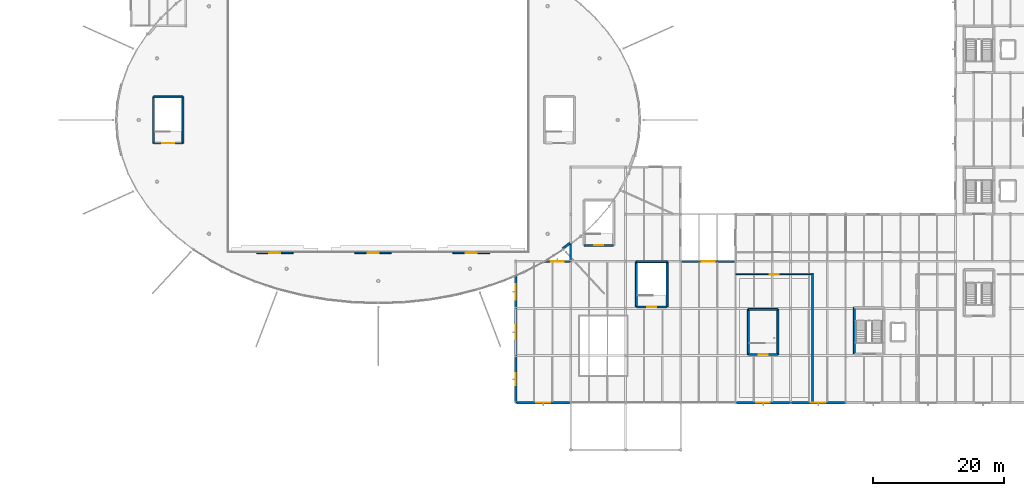
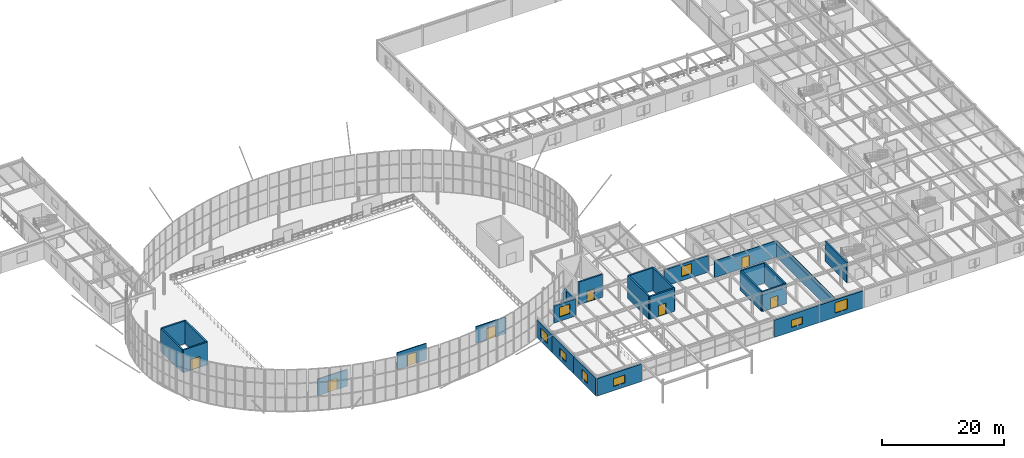
# One storey, part 63 of 109: 29 walls, 8 doors, 8 windows, 16 openings.
"""IFC4 building model written with IfcOpenShell, lengths in metres."""

from ifc_helpers import new_model, si_unit, derived_unit, direction, frame, frame_2d, origin, place, context, subcontext, project, spatial, rectangle, extrude, material, layer, layer_set, type_object, element, fill, save


model = new_model("IFC4")

# Units and contexts
model_context = context("Model", 3, precision=1e-05, world=origin(), true_north=direction((0.0, 1.0)))
body_context = subcontext(model_context, "Body", "Model", "MODEL_VIEW")
ifc_project = project(units=[si_unit("LENGTHUNIT", "METRE"), si_unit("AREAUNIT", "SQUARE_METRE"), si_unit("VOLUMEUNIT", "CUBIC_METRE"), si_unit("PLANEANGLEUNIT", "RADIAN"), si_unit("MASSUNIT", "GRAM", prefix="KILO"), derived_unit("THERMALTRANSMITTANCEUNIT", [(si_unit("MASSUNIT", "GRAM", prefix="KILO"), 1), (si_unit("TIMEUNIT", "SECOND"), -3), (si_unit("THERMODYNAMICTEMPERATUREUNIT", "KELVIN"), -1)])], contexts=[model_context])

# Site, building, storey
site_placement = place(None, origin())
site = spatial("IfcSite", under=ifc_project, at=site_placement, CompositionType="ELEMENT")
building_placement = place(site_placement, origin())
building = spatial("IfcBuilding", under=site, at=building_placement, Name="Kharveza Railside Sports Centre", CompositionType="ELEMENT")
storey_placement = place(building_placement, frame((0.0, 0.0, 4.5)))
storey = spatial("IfcBuildingStorey", under=building, at=storey_placement, Name="L01", CompositionType="ELEMENT", Elevation=4.5)

# Wall
ifc_material_1 = material(Name="Concrete C35/45", Category="concrete")
ifc_layer_1 = layer(ifc_material_1, 0.300048828125, Name="Concrete C35/45")
ifc_layer_set_1 = layer_set([ifc_layer_1], Name="Concrete C35/45")
wall_type_1 = type_object("IfcWallType", Name="WL-CR300", PredefinedType="SHEAR", material=ifc_layer_set_1)
wall_1_placement = place(storey_placement, frame((127.35009765625, 21.75, 0.0), z_axis=(0.0, 0.0, 1.0), x_axis=(0.0, -1.0, 0.0)))
element("IfcWall", 1, at=wall_1_placement, inside=storey, type_object=wall_type_1, Name="WL-CORE-ST3-L01-W", PredefinedType="SHEAR", context=body_context, shape_type="SweptSolid", body=[
    extrude(rectangle(XDim=7.10009765625, YDim=0.300048828125, at=frame_2d((3.550048828125, 0.0))), origin(), (0.0, 0.0, 1.0), 4.0),
])

# Wall, opening, door
wall_2_placement = place(storey_placement, frame((20.25, 46.85009765625, 0.0), z_axis=(0.0, 0.0, 1.0), x_axis=(1.0, 0.0, 0.0)))
wall_2 = element("IfcWall", 2, at=wall_2_placement, inside=storey, type_object=wall_type_1, Name="WL-CORE-ST7-L01-S", PredefinedType="SHEAR", context=body_context, shape_type="SweptSolid", body=[
    extrude(rectangle(XDim=4.5, YDim=0.300048828125, at=frame_2d((2.25, 0.0))), origin(), (0.0, 0.0, 1.0), 4.56005859375),
])
opening_1_placement = place(wall_2_placement, frame((1.35009765625, 0.0, 0.0)))
opening_1 = element("IfcOpeningElement", 3, at=opening_1_placement, cuts=wall_2, Name="Opening D08", PredefinedType="OPENING", context=body_context, shape_type="SweptSolid", body=[
    extrude(rectangle(XDim=1.800048828125, YDim=2.199951171875, at=frame_2d((0.89990234375, 1.10009765625))), frame((0.0, 0.1748046875, 0.0), z_axis=(0.0, -1.0, 0.0), x_axis=(1.0, 0.0, 0.0)), (0.0, 0.0, 1.0), 0.349853515625),
])
ifc_material_2 = material(Name="Fire-rated hardwood door leaf", Category="wood")
door_type_1 = type_object("IfcDoorType", Name="DR-ST01", OperationType="NOTDEFINED", PredefinedType="DOOR", material=ifc_material_2)
door_1_placement = place(opening_1_placement, frame((1.800048828125, 0.0, 0.0), z_axis=(0.0, 0.0, 1.0), x_axis=(-1.0, 0.0, 0.0)))
door_1 = element("IfcDoor", 4, at=door_1_placement, inside=storey, type_object=door_type_1, Name="DR-ST-ST7-L01", OperationType="DOUBLE_DOOR_SINGLE_SWING", OverallHeight=2.199951171875, OverallWidth=1.800048828125, PredefinedType="DOOR", context=body_context, shape_type="SweptSolid", body=[
    extrude(rectangle(XDim=1.800048828125, YDim=2.199951171875, at=frame_2d((0.89990234375, 1.10009765625))), frame((0.0, 0.02490234375, 0.0), z_axis=(0.0, -1.0, 0.0), x_axis=(1.0, 0.0, 0.0)), (0.0, 0.0, 1.0), 0.050048828125),
])
fill(opening_1, door_1)

# Walls
wall_3_placement = place(storey_placement, frame((24.75, 46.85009765625, 0.0), z_axis=(0.0, 0.0, 1.0), x_axis=(0.0, 1.0, 0.0)))
element("IfcWall", 5, at=wall_3_placement, inside=storey, type_object=wall_type_1, Name="WL-CORE-ST7-L01-E", PredefinedType="SHEAR", context=body_context, shape_type="SweptSolid", body=[
    extrude(rectangle(XDim=7.099853515625, YDim=0.300048828125, at=frame_2d((3.5498046875, 0.0))), origin(), (0.0, 0.0, 1.0), 4.56005859375),
])
wall_4_placement = place(storey_placement, frame((24.75, 53.949951171875, 0.0), z_axis=(0.0, 0.0, 1.0), x_axis=(-1.0, 0.0, 0.0)))
element("IfcWall", 6, at=wall_4_placement, inside=storey, type_object=wall_type_1, Name="WL-CORE-ST7-L01-N", PredefinedType="SHEAR", context=body_context, shape_type="SweptSolid", body=[
    extrude(rectangle(XDim=4.5, YDim=0.300048828125, at=frame_2d((2.25, 0.0))), origin(), (0.0, 0.0, 1.0), 4.56005859375),
])
wall_5_placement = place(storey_placement, frame((20.25, 53.949951171875, 0.0), z_axis=(0.0, 0.0, 1.0), x_axis=(0.0, -1.0, 0.0)))
element("IfcWall", 7, at=wall_5_placement, inside=storey, type_object=wall_type_1, Name="WL-CORE-ST7-L01-W", PredefinedType="SHEAR", context=body_context, shape_type="SweptSolid", body=[
    extrude(rectangle(XDim=7.099853515625, YDim=0.300048828125, at=frame_2d((3.5498046875, 0.0))), origin(), (0.0, 0.0, 1.0), 4.56005859375),
])

# Wall, opening, door
wall_6_placement = place(storey_placement, frame((86.050048828125, 31.25, 0.0), z_axis=(0.0, 0.0, 1.0), x_axis=(1.0, 0.0, 0.0)))
wall_6 = element("IfcWall", 8, at=wall_6_placement, inside=storey, type_object=wall_type_1, Name="WL-CORE-ST9-L01-S", PredefinedType="SHEAR", context=body_context, shape_type="SweptSolid", body=[
    extrude(rectangle(XDim=4.5, YDim=0.300048828125, at=frame_2d((2.25, 0.0))), origin(), (0.0, 0.0, 1.0), 4.56005859375),
])
opening_2_placement = place(wall_6_placement, frame((1.550048828125, 0.0, 0.0)))
opening_2 = element("IfcOpeningElement", 9, at=opening_2_placement, cuts=wall_6, Name="Opening D09", PredefinedType="OPENING", context=body_context, shape_type="SweptSolid", body=[
    extrude(rectangle(XDim=1.39990234375, YDim=2.199951171875, at=frame_2d((0.699951171875, 1.10009765625))), frame((0.0, 0.1748046875, 0.0), z_axis=(0.0, -1.0, 0.0), x_axis=(1.0, 0.0, 0.0)), (0.0, 0.0, 1.0), 0.349853515625),
])
door_type_2 = type_object("IfcDoorType", Name="DR-ST02", OperationType="NOTDEFINED", PredefinedType="DOOR", material=ifc_material_2)
door_2_placement = place(opening_2_placement, frame((1.39990234375, 0.0, 0.0), z_axis=(0.0, 0.0, 1.0), x_axis=(-1.0, 0.0, 0.0)))
door_2 = element("IfcDoor", 10, at=door_2_placement, inside=storey, type_object=door_type_2, Name="DR-ST-ST9-L01", OperationType="SINGLE_SWING_LEFT", OverallHeight=2.199951171875, OverallWidth=1.39990234375, PredefinedType="DOOR", context=body_context, shape_type="SweptSolid", body=[
    extrude(rectangle(XDim=1.39990234375, YDim=2.199951171875, at=frame_2d((0.699951171875, 1.10009765625))), frame((0.0, 0.02490234375, 0.0), z_axis=(0.0, -1.0, 0.0), x_axis=(1.0, 0.0, 0.0)), (0.0, 0.0, 1.0), 0.050048828125),
])
fill(opening_2, door_2)

wall_7_placement = place(storey_placement, frame((94.050048828125, 21.85009765625, 0.0), z_axis=(0.0, 0.0, 1.0), x_axis=(1.0, 0.0, 0.0)))
wall_7 = element("IfcWall", 11, at=wall_7_placement, inside=storey, type_object=wall_type_1, Name="WL-CORE-ST10-L01-S", PredefinedType="SHEAR", context=body_context, shape_type="SweptSolid", body=[
    extrude(rectangle(XDim=4.699951171875, YDim=0.300048828125, at=frame_2d((2.35009765625, 0.0))), origin(), (0.0, 0.0, 1.0), 4.56005859375),
])
opening_3_placement = place(wall_7_placement, frame((1.64990234375, 0.0, 0.0)))
opening_3 = element("IfcOpeningElement", 12, at=opening_3_placement, cuts=wall_7, Name="Opening D09", PredefinedType="OPENING", context=body_context, shape_type="SweptSolid", body=[
    extrude(rectangle(XDim=1.39990234375, YDim=2.199951171875, at=frame_2d((0.699951171875, 1.10009765625))), frame((0.0, 0.1748046875, 0.0), z_axis=(0.0, -1.0, 0.0), x_axis=(1.0, 0.0, 0.0)), (0.0, 0.0, 1.0), 0.349853515625),
])
door_3_placement = place(opening_3_placement, frame((1.39990234375, 0.0, 0.0), z_axis=(0.0, 0.0, 1.0), x_axis=(-1.0, 0.0, 0.0)))
door_3 = element("IfcDoor", 13, at=door_3_placement, inside=storey, type_object=door_type_2, Name="DR-ST-ST10-L01", OperationType="SINGLE_SWING_LEFT", OverallHeight=2.199951171875, OverallWidth=1.39990234375, PredefinedType="DOOR", context=body_context, shape_type="SweptSolid", body=[
    extrude(rectangle(XDim=1.39990234375, YDim=2.199951171875, at=frame_2d((0.699951171875, 1.10009765625))), frame((0.0, 0.02490234375, 0.0), z_axis=(0.0, -1.0, 0.0), x_axis=(1.0, 0.0, 0.0)), (0.0, 0.0, 1.0), 0.050048828125),
])
fill(opening_3, door_3)

# Walls
wall_8_placement = place(storey_placement, frame((98.75, 21.85009765625, 0.0), z_axis=(0.0, 0.0, 1.0), x_axis=(0.0, 1.0, 0.0)))
element("IfcWall", 14, at=wall_8_placement, inside=storey, type_object=wall_type_1, Name="WL-CORE-ST10-L01-E", PredefinedType="SHEAR", context=body_context, shape_type="SweptSolid", body=[
    extrude(rectangle(XDim=6.89990234375, YDim=0.300048828125, at=frame_2d((3.449951171875, 0.0))), origin(), (0.0, 0.0, 1.0), 4.56005859375),
])
wall_9_placement = place(storey_placement, frame((98.75, 28.75, 0.0), z_axis=(0.0, 0.0, 1.0), x_axis=(-1.0, 0.0, 0.0)))
element("IfcWall", 15, at=wall_9_placement, inside=storey, type_object=wall_type_1, Name="WL-CORE-ST10-L01-N", PredefinedType="SHEAR", context=body_context, shape_type="SweptSolid", body=[
    extrude(rectangle(XDim=4.699951171875, YDim=0.300048828125, at=frame_2d((2.35009765625, 0.0))), origin(), (0.0, 0.0, 1.0), 4.56005859375),
])
wall_10_placement = place(storey_placement, frame((94.050048828125, 28.75, 0.0), z_axis=(0.0, 0.0, 1.0), x_axis=(0.0, -1.0, 0.0)))
element("IfcWall", 16, at=wall_10_placement, inside=storey, type_object=wall_type_1, Name="WL-CORE-ST10-L01-W", PredefinedType="SHEAR", context=body_context, shape_type="SweptSolid", body=[
    extrude(rectangle(XDim=6.89990234375, YDim=0.300048828125, at=frame_2d((3.449951171875, 0.0))), origin(), (0.0, 0.0, 1.0), 4.56005859375),
])

# Wall, opening, door
wall_11_placement = place(storey_placement, frame((111.14990234375, 14.550048828125, 0.0), z_axis=(0.0, 0.0, 1.0), x_axis=(1.0, 0.0, 0.0)))
wall_11 = element("IfcWall", 17, at=wall_11_placement, inside=storey, type_object=wall_type_1, Name="WL-CORE-ST12-L01-S", PredefinedType="SHEAR", context=body_context, shape_type="SweptSolid", body=[
    extrude(rectangle(XDim=4.5, YDim=0.300048828125, at=frame_2d((2.25, 0.0))), origin(), (0.0, 0.0, 1.0), 4.0),
])
opening_4_placement = place(wall_11_placement, frame((1.550048828125, 0.0, 0.0)))
opening_4 = element("IfcOpeningElement", 18, at=opening_4_placement, cuts=wall_11, Name="Opening D09", PredefinedType="OPENING", context=body_context, shape_type="SweptSolid", body=[
    extrude(rectangle(XDim=1.39990234375, YDim=2.199951171875, at=frame_2d((0.699951171875, 1.10009765625))), frame((0.0, 0.1748046875, 0.0), z_axis=(0.0, -1.0, 0.0), x_axis=(1.0, 0.0, 0.0)), (0.0, 0.0, 1.0), 0.349853515625),
])
door_4_placement = place(opening_4_placement, frame((1.39990234375, 0.0, 0.0), z_axis=(0.0, 0.0, 1.0), x_axis=(-1.0, 0.0, 0.0)))
door_4 = element("IfcDoor", 19, at=door_4_placement, inside=storey, type_object=door_type_2, Name="DR-ST-ST12-L01", OperationType="SINGLE_SWING_RIGHT", OverallHeight=2.199951171875, OverallWidth=1.39990234375, PredefinedType="DOOR", context=body_context, shape_type="SweptSolid", body=[
    extrude(rectangle(XDim=1.39990234375, YDim=2.199951171875, at=frame_2d((0.699951171875, 1.10009765625))), frame((0.0, 0.02490234375, 0.0), z_axis=(0.0, -1.0, 0.0), x_axis=(1.0, 0.0, 0.0)), (0.0, 0.0, 1.0), 0.050048828125),
])
fill(opening_4, door_4)

# Walls
wall_12_placement = place(storey_placement, frame((115.64990234375, 14.550048828125, 0.0), z_axis=(0.0, 0.0, 1.0), x_axis=(0.0, 1.0, 0.0)))
element("IfcWall", 20, at=wall_12_placement, inside=storey, type_object=wall_type_1, Name="WL-CORE-ST12-L01-E", PredefinedType="SHEAR", context=body_context, shape_type="SweptSolid", body=[
    extrude(rectangle(XDim=6.89990234375, YDim=0.300048828125, at=frame_2d((3.449951171875, 0.0))), origin(), (0.0, 0.0, 1.0), 4.0),
])
wall_13_placement = place(storey_placement, frame((115.64990234375, 21.449951171875, 0.0), z_axis=(0.0, 0.0, 1.0), x_axis=(-1.0, 0.0, 0.0)))
element("IfcWall", 21, at=wall_13_placement, inside=storey, type_object=wall_type_1, Name="WL-CORE-ST12-L01-N", PredefinedType="SHEAR", context=body_context, shape_type="SweptSolid", body=[
    extrude(rectangle(XDim=4.5, YDim=0.300048828125, at=frame_2d((2.25, 0.0))), origin(), (0.0, 0.0, 1.0), 4.0),
])
wall_14_placement = place(storey_placement, frame((111.14990234375, 21.449951171875, 0.0), z_axis=(0.0, 0.0, 1.0), x_axis=(0.0, -1.0, 0.0)))
element("IfcWall", 22, at=wall_14_placement, inside=storey, type_object=wall_type_1, Name="WL-CORE-ST12-L01-W", PredefinedType="SHEAR", context=body_context, shape_type="SweptSolid", body=[
    extrude(rectangle(XDim=6.89990234375, YDim=0.300048828125, at=frame_2d((3.449951171875, 0.0))), origin(), (0.0, 0.0, 1.0), 4.0),
])
ifc_material_3 = material(Name="Precast concrete C40/50", Category="concrete")
ifc_layer_2 = layer(ifc_material_3, 0.360107421875, Name="Precast concrete C40/50")
ifc_layer_set_2 = layer_set([ifc_layer_2], Name="Precast concrete C40/50")
wall_type_2 = type_object("IfcWallType", Name="WL-DR360", PredefinedType="STANDARD", material=ifc_layer_set_2)
wall_15_placement = place(storey_placement, frame((82.774169921875, 30.743408203125, 0.0), z_axis=(0.0, 0.0, 1.0), x_axis=(0.791399241235, 0.611299632727, 0.0)))
element("IfcWall", 23, at=wall_15_placement, inside=storey, type_object=wall_type_2, Name="WL-DRUM-JCT-L01-57-1", PredefinedType="STANDARD", context=body_context, shape_type="SweptSolid", body=[
    extrude(rectangle(XDim=1.409912109375, YDim=0.360107421875, at=frame_2d((0.705078125, 0.0))), origin(), (0.0, 0.0, 1.0), 3.699951171875),
])
ifc_layer_3 = layer(ifc_material_3, 0.320068359375, Name="Precast concrete C40/50")
ifc_layer_set_3 = layer_set([ifc_layer_3], Name="Precast concrete C40/50")
wall_type_3 = type_object("IfcWallType", Name="WL-EX320", PredefinedType="STANDARD", material=ifc_layer_set_3)
wall_16_placement = place(storey_placement, frame((84.0, 31.52490234375, 0.0), z_axis=(0.0, 0.0, 1.0), x_axis=(0.0, -1.0, 0.0)))
element("IfcWall", 24, at=wall_16_placement, inside=storey, type_object=wall_type_3, Name="WL-EXT-L01-082", PredefinedType="STANDARD", context=body_context, shape_type="SweptSolid", body=[
    extrude(rectangle(XDim=2.724853515625, YDim=0.320068359375, at=frame_2d((1.3623046875, 0.0))), origin(), (0.0, 0.0, 1.0), 3.385009765625),
])

# Wall, opening, window
wall_17_placement = place(storey_placement, frame((84.0, 28.800048828125, 0.0), z_axis=(0.0, 0.0, 1.0), x_axis=(-1.0, 0.0, 0.0)))
wall_17 = element("IfcWall", 25, at=wall_17_placement, inside=storey, type_object=wall_type_3, Name="WL-EXT-L01-083", PredefinedType="STANDARD", context=body_context, shape_type="SweptSolid", body=[
    extrude(rectangle(XDim=4.047119140625, YDim=0.320068359375, at=frame_2d((2.0234375, 0.0))), origin(), (0.0, 0.0, 1.0), 3.385009765625),
])
opening_5_placement = place(wall_17_placement, frame((1.048583984375, 0.0, 0.85009765625)))
opening_5 = element("IfcOpeningElement", 26, at=opening_5_placement, cuts=wall_17, Name="Opening WN30", PredefinedType="OPENING", context=body_context, shape_type="SweptSolid", body=[
    extrude(rectangle(XDim=1.949951171875, YDim=1.949951171875, at=frame_2d((0.97509765625, 0.97509765625))), frame((0.0, 0.18505859375, 0.0), z_axis=(0.0, -1.0, 0.0), x_axis=(1.0, 0.0, 0.0)), (0.0, 0.0, 1.0), 0.369873046875),
])
ifc_material_4 = material(Name="Low-E solar-control laminated glass", Category="glass")
window_type_1 = type_object("IfcWindowType", Name="WN-Z14", PartitioningType="SINGLE_PANEL", PredefinedType="WINDOW", material=ifc_material_4)
window_1_placement = place(opening_5_placement, origin())
window_1 = element("IfcWindow", 27, at=window_1_placement, inside=storey, type_object=window_type_1, Name="WN-EXT-L01-026", OverallHeight=1.949951171875, OverallWidth=1.949951171875, PartitioningType="SINGLE_PANEL", PredefinedType="WINDOW", context=body_context, shape_type="SweptSolid", body=[
    extrude(rectangle(XDim=1.949951171875, YDim=1.949951171875, at=frame_2d((0.97509765625, 0.97509765625))), frame((0.0, 0.030029296875, 0.0), z_axis=(0.0, -1.0, 0.0), x_axis=(1.0, 0.0, 0.0)), (0.0, 0.0, 1.0), 0.06005859375),
])
fill(opening_5, window_1)

wall_18_placement = place(storey_placement, frame((75.60009765625, 26.6591796875, 0.0), z_axis=(0.0, 0.0, 1.0), x_axis=(0.0, -1.0, 0.0)))
wall_18 = element("IfcWall", 28, at=wall_18_placement, inside=storey, type_object=wall_type_3, Name="WL-EXT-L01-084", PredefinedType="STANDARD", context=body_context, shape_type="SweptSolid", body=[
    extrude(rectangle(XDim=5.05908203125, YDim=0.320068359375, at=frame_2d((2.529541015625, 0.0))), origin(), (0.0, 0.0, 1.0), 3.485107421875),
])
opening_6_placement = place(wall_18_placement, frame((1.32958984375, 0.0, 0.85009765625)))
opening_6 = element("IfcOpeningElement", 29, at=opening_6_placement, cuts=wall_18, Name="Opening WN04", PredefinedType="OPENING", context=body_context, shape_type="SweptSolid", body=[
    extrude(rectangle(XDim=2.39990234375, YDim=1.800048828125, at=frame_2d((1.199951171875, 0.89990234375))), frame((0.0, 0.18505859375, 0.0), z_axis=(0.0, -1.0, 0.0), x_axis=(1.0, 0.0, 0.0)), (0.0, 0.0, 1.0), 0.369873046875),
])
window_type_2 = type_object("IfcWindowType", Name="WN-F04", PartitioningType="SINGLE_PANEL", PredefinedType="WINDOW", material=ifc_material_4)
window_2_placement = place(opening_6_placement, origin())
window_2 = element("IfcWindow", 30, at=window_2_placement, inside=storey, type_object=window_type_2, Name="WN-EXT-L01-027", OverallHeight=1.800048828125, OverallWidth=2.39990234375, PartitioningType="SINGLE_PANEL", PredefinedType="WINDOW", context=body_context, shape_type="SweptSolid", body=[
    extrude(rectangle(XDim=2.39990234375, YDim=1.800048828125, at=frame_2d((1.199951171875, 0.89990234375))), frame((0.0, 0.030029296875, 0.0), z_axis=(0.0, -1.0, 0.0), x_axis=(1.0, 0.0, 0.0)), (0.0, 0.0, 1.0), 0.06005859375),
])
fill(opening_6, window_2)

wall_19_placement = place(storey_placement, frame((75.60009765625, 21.60009765625, 0.0), z_axis=(0.0, 0.0, 1.0), x_axis=(0.0, -1.0, 0.0)))
wall_19 = element("IfcWall", 31, at=wall_19_placement, inside=storey, type_object=wall_type_3, Name="WL-EXT-L01-085", PredefinedType="STANDARD", context=body_context, shape_type="SweptSolid", body=[
    extrude(rectangle(XDim=7.2001953125, YDim=0.320068359375, at=frame_2d((3.60009765625, 0.0))), origin(), (0.0, 0.0, 1.0), 3.485107421875),
])
opening_7_placement = place(wall_19_placement, frame((2.60009765625, 0.0, 0.85009765625)))
opening_7 = element("IfcOpeningElement", 32, at=opening_7_placement, cuts=wall_19, Name="Opening WN15", PredefinedType="OPENING", context=body_context, shape_type="SweptSolid", body=[
    extrude(rectangle(XDim=2.0, YDim=1.60009765625, at=frame_2d((1.0, 0.800048828125))), frame((0.0, 0.18505859375, 0.0), z_axis=(0.0, -1.0, 0.0), x_axis=(1.0, 0.0, 0.0)), (0.0, 0.0, 1.0), 0.369873046875),
])
window_type_3 = type_object("IfcWindowType", Name="WN-F15", PartitioningType="SINGLE_PANEL", PredefinedType="WINDOW", material=ifc_material_4)
window_3_placement = place(opening_7_placement, origin())
window_3 = element("IfcWindow", 33, at=window_3_placement, inside=storey, type_object=window_type_3, Name="WN-EXT-L01-028", OverallHeight=1.60009765625, OverallWidth=2.0, PartitioningType="SINGLE_PANEL", PredefinedType="WINDOW", context=body_context, shape_type="SweptSolid", body=[
    extrude(rectangle(XDim=2.0, YDim=1.60009765625, at=frame_2d((1.0, 0.800048828125))), frame((0.0, 0.030029296875, 0.0), z_axis=(0.0, -1.0, 0.0), x_axis=(1.0, 0.0, 0.0)), (0.0, 0.0, 1.0), 0.06005859375),
])
fill(opening_7, window_3)

wall_20_placement = place(storey_placement, frame((75.60009765625, 14.39990234375, 0.0), z_axis=(0.0, 0.0, 1.0), x_axis=(0.0, -1.0, 0.0)))
wall_20 = element("IfcWall", 34, at=wall_20_placement, inside=storey, type_object=wall_type_3, Name="WL-EXT-L01-086", PredefinedType="STANDARD", context=body_context, shape_type="SweptSolid", body=[
    extrude(rectangle(XDim=7.199951171875, YDim=0.320068359375, at=frame_2d((3.60009765625, 0.0))), origin(), (0.0, 0.0, 1.0), 3.485107421875),
])
opening_8_placement = place(wall_20_placement, frame((2.699951171875, 0.0, 0.85009765625)))
opening_8 = element("IfcOpeningElement", 35, at=opening_8_placement, cuts=wall_20, Name="Opening WN05", PredefinedType="OPENING", context=body_context, shape_type="SweptSolid", body=[
    extrude(rectangle(XDim=1.800048828125, YDim=1.800048828125, at=frame_2d((0.89990234375, 0.89990234375))), frame((0.0, 0.18505859375, 0.0), z_axis=(0.0, -1.0, 0.0), x_axis=(1.0, 0.0, 0.0)), (0.0, 0.0, 1.0), 0.369873046875),
])
window_type_4 = type_object("IfcWindowType", Name="WN-F05", PartitioningType="SINGLE_PANEL", PredefinedType="WINDOW", material=ifc_material_4)
window_4_placement = place(opening_8_placement, origin())
window_4 = element("IfcWindow", 36, at=window_4_placement, inside=storey, type_object=window_type_4, Name="WN-EXT-L01-029", OverallHeight=1.800048828125, OverallWidth=1.800048828125, PartitioningType="SINGLE_PANEL", PredefinedType="WINDOW", context=body_context, shape_type="SweptSolid", body=[
    extrude(rectangle(XDim=1.800048828125, YDim=1.800048828125, at=frame_2d((0.89990234375, 0.89990234375))), frame((0.0, 0.030029296875, 0.0), z_axis=(0.0, -1.0, 0.0), x_axis=(1.0, 0.0, 0.0)), (0.0, 0.0, 1.0), 0.06005859375),
])
fill(opening_8, window_4)

wall_21_placement = place(storey_placement, frame((75.60009765625, 7.199951171875, 0.0), z_axis=(0.0, 0.0, 1.0), x_axis=(1.0, 0.0, 0.0)))
wall_21 = element("IfcWall", 37, at=wall_21_placement, inside=storey, type_object=wall_type_3, Name="WL-EXT-L01-087", PredefinedType="STANDARD", context=body_context, shape_type="SweptSolid", body=[
    extrude(rectangle(XDim=8.39990234375, YDim=0.320068359375, at=frame_2d((4.199951171875, 0.0))), origin(), (0.0, 0.0, 1.0), 3.485107421875),
])
opening_9_placement = place(wall_21_placement, frame((3.10009765625, 0.0, 0.85009765625)))
opening_9 = element("IfcOpeningElement", 38, at=opening_9_placement, cuts=wall_21, Name="Opening WN22", PredefinedType="OPENING", context=body_context, shape_type="SweptSolid", body=[
    extrude(rectangle(XDim=2.199951171875, YDim=1.550048828125, at=frame_2d((1.10009765625, 0.77490234375))), frame((0.0, 0.18505859375, 0.0), z_axis=(0.0, -1.0, 0.0), x_axis=(1.0, 0.0, 0.0)), (0.0, 0.0, 1.0), 0.369873046875),
])
window_type_5 = type_object("IfcWindowType", Name="WN-Z06", PartitioningType="SINGLE_PANEL", PredefinedType="WINDOW", material=ifc_material_4)
window_5_placement = place(opening_9_placement, origin())
window_5 = element("IfcWindow", 39, at=window_5_placement, inside=storey, type_object=window_type_5, Name="WN-EXT-L01-030", OverallHeight=1.550048828125, OverallWidth=2.199951171875, PartitioningType="SINGLE_PANEL", PredefinedType="WINDOW", context=body_context, shape_type="SweptSolid", body=[
    extrude(rectangle(XDim=2.199951171875, YDim=1.550048828125, at=frame_2d((1.10009765625, 0.77490234375))), frame((0.0, 0.030029296875, 0.0), z_axis=(0.0, -1.0, 0.0), x_axis=(1.0, 0.0, 0.0)), (0.0, 0.0, 1.0), 0.06005859375),
])
fill(opening_9, window_5)

wall_22_placement = place(storey_placement, frame((109.199951171875, 7.199951171875, 0.0), z_axis=(0.0, 0.0, 1.0), x_axis=(1.0, 0.0, 0.0)))
wall_22 = element("IfcWall", 40, at=wall_22_placement, inside=storey, type_object=wall_type_3, Name="WL-EXT-L01-088", PredefinedType="STANDARD", context=body_context, shape_type="SweptSolid", body=[
    extrude(rectangle(XDim=8.400146484375, YDim=0.320068359375, at=frame_2d((4.2001953125, 0.0))), origin(), (0.0, 0.0, 1.0), 3.455078125),
])
opening_10_placement = place(wall_22_placement, frame((3.14990234375, 0.0, 0.85009765625)))
opening_10 = element("IfcOpeningElement", 41, at=opening_10_placement, cuts=wall_22, Name="Opening WN23", PredefinedType="OPENING", context=body_context, shape_type="SweptSolid", body=[
    extrude(rectangle(XDim=2.10009765625, YDim=1.449951171875, at=frame_2d((1.050048828125, 0.72509765625))), frame((0.0, 0.18505859375, 0.0), z_axis=(0.0, -1.0, 0.0), x_axis=(1.0, 0.0, 0.0)), (0.0, 0.0, 1.0), 0.369873046875),
])
window_type_6 = type_object("IfcWindowType", Name="WN-Z07", PartitioningType="SINGLE_PANEL", PredefinedType="WINDOW", material=ifc_material_4)
window_6_placement = place(opening_10_placement, origin())
window_6 = element("IfcWindow", 42, at=window_6_placement, inside=storey, type_object=window_type_6, Name="WN-EXT-L01-031", OverallHeight=1.449951171875, OverallWidth=2.10009765625, PartitioningType="SINGLE_PANEL", PredefinedType="WINDOW", context=body_context, shape_type="SweptSolid", body=[
    extrude(rectangle(XDim=2.10009765625, YDim=1.449951171875, at=frame_2d((1.050048828125, 0.72509765625))), frame((0.0, 0.030029296875, 0.0), z_axis=(0.0, -1.0, 0.0), x_axis=(1.0, 0.0, 0.0)), (0.0, 0.0, 1.0), 0.06005859375),
])
fill(opening_10, window_6)

wall_23_placement = place(storey_placement, frame((117.60009765625, 7.199951171875, 0.0), z_axis=(0.0, 0.0, 1.0), x_axis=(1.0, 0.0, 0.0)))
wall_23 = element("IfcWall", 43, at=wall_23_placement, inside=storey, type_object=wall_type_3, Name="WL-EXT-L01-089", PredefinedType="STANDARD", context=body_context, shape_type="SweptSolid", body=[
    extrude(rectangle(XDim=8.39990234375, YDim=0.320068359375, at=frame_2d((4.199951171875, 0.0))), origin(), (0.0, 0.0, 1.0), 3.465087890625),
])
opening_11_placement = place(wall_23_placement, frame((3.050048828125, 0.0, 0.85009765625)))
opening_11 = element("IfcOpeningElement", 44, at=opening_11_placement, cuts=wall_23, Name="Opening WN29", PredefinedType="OPENING", context=body_context, shape_type="SweptSolid", body=[
    extrude(rectangle(XDim=2.300048828125, YDim=2.050048828125, at=frame_2d((1.14990234375, 1.02490234375))), frame((0.0, 0.18505859375, 0.0), z_axis=(0.0, -1.0, 0.0), x_axis=(1.0, 0.0, 0.0)), (0.0, 0.0, 1.0), 0.369873046875),
])
window_type_7 = type_object("IfcWindowType", Name="WN-Z13", PartitioningType="SINGLE_PANEL", PredefinedType="WINDOW", material=ifc_material_4)
window_7_placement = place(opening_11_placement, origin())
window_7 = element("IfcWindow", 45, at=window_7_placement, inside=storey, type_object=window_type_7, Name="WN-EXT-L01-032", OverallHeight=2.050048828125, OverallWidth=2.300048828125, PartitioningType="SINGLE_PANEL", PredefinedType="WINDOW", context=body_context, shape_type="SweptSolid", body=[
    extrude(rectangle(XDim=2.300048828125, YDim=2.050048828125, at=frame_2d((1.14990234375, 1.02490234375))), frame((0.0, 0.030029296875, 0.0), z_axis=(0.0, -1.0, 0.0), x_axis=(1.0, 0.0, 0.0)), (0.0, 0.0, 1.0), 0.06005859375),
])
fill(opening_11, window_7)

wall_24_placement = place(storey_placement, frame((109.199951171875, 28.800048828125, 0.0), z_axis=(0.0, 0.0, 1.0), x_axis=(-1.0, 0.0, 0.0)))
wall_24 = element("IfcWall", 46, at=wall_24_placement, inside=storey, type_object=wall_type_3, Name="WL-EXT-L01-139", PredefinedType="STANDARD", context=body_context, shape_type="SweptSolid", body=[
    extrude(rectangle(XDim=8.39990234375, YDim=0.320068359375, at=frame_2d((4.199951171875, 0.0))), origin(), (0.0, 0.0, 1.0), 3.304931640625),
])
opening_12_placement = place(wall_24_placement, frame((3.22509765625, 0.0, 0.85009765625)))
opening_12 = element("IfcOpeningElement", 47, at=opening_12_placement, cuts=wall_24, Name="Opening WN30", PredefinedType="OPENING", context=body_context, shape_type="SweptSolid", body=[
    extrude(rectangle(XDim=1.949951171875, YDim=1.949951171875, at=frame_2d((0.97509765625, 0.97509765625))), frame((0.0, 0.18505859375, 0.0), z_axis=(0.0, -1.0, 0.0), x_axis=(1.0, 0.0, 0.0)), (0.0, 0.0, 1.0), 0.369873046875),
])
window_8_placement = place(opening_12_placement, origin())
window_8 = element("IfcWindow", 48, at=window_8_placement, inside=storey, type_object=window_type_1, Name="WN-EXT-L01-071", OverallHeight=1.949951171875, OverallWidth=1.949951171875, PartitioningType="SINGLE_PANEL", PredefinedType="WINDOW", context=body_context, shape_type="SweptSolid", body=[
    extrude(rectangle(XDim=1.949951171875, YDim=1.949951171875, at=frame_2d((0.97509765625, 0.97509765625))), frame((0.0, 0.030029296875, 0.0), z_axis=(0.0, -1.0, 0.0), x_axis=(1.0, 0.0, 0.0)), (0.0, 0.0, 1.0), 0.06005859375),
])
fill(opening_12, window_8)

# Wall, opening, door
ifc_material_5 = material(Name="Gypsum board acoustic stud partition")
ifc_layer_4 = layer(ifc_material_5, 0.14501953125, Name="Gypsum board acoustic stud partition")
ifc_layer_set_4 = layer_set([ifc_layer_4], Name="Gypsum board acoustic stud partition")
wall_type_4 = type_object("IfcWallType", Name="WL-PT145", PredefinedType="PARTITIONING", material=ifc_layer_set_4)
wall_25_placement = place(storey_placement, frame((109.199951171875, 26.800048828125, 0.0), z_axis=(0.0, 0.0, 1.0), x_axis=(1.0, 0.0, 0.0)))
wall_25 = element("IfcWall", 49, at=wall_25_placement, inside=storey, type_object=wall_type_4, Name="WL-INT-L01-046", PredefinedType="PARTITIONING", context=body_context, shape_type="SweptSolid", body=[
    extrude(rectangle(XDim=11.800048828125, YDim=0.14501953125, at=frame_2d((5.89990234375, 0.0))), origin(), (0.0, 0.0, 1.0), 3.320068359375),
])
opening_13_placement = place(wall_25_placement, frame((5.22509765625, 0.0, 0.0)))
opening_13 = element("IfcOpeningElement", 50, at=opening_13_placement, cuts=wall_25, Name="Opening D16", PredefinedType="OPENING", context=body_context, shape_type="SweptSolid", body=[
    extrude(rectangle(XDim=1.35009765625, YDim=2.199951171875, at=frame_2d((0.675048828125, 1.10009765625))), frame((0.0, 0.097412109375, 0.0), z_axis=(0.0, -1.0, 0.0), x_axis=(1.0, 0.0, 0.0)), (0.0, 0.0, 1.0), 0.19482421875),
])
door_type_3 = type_object("IfcDoorType", Name="DR-IN04", OperationType="NOTDEFINED", PredefinedType="DOOR", material=ifc_material_2)
door_5_placement = place(opening_13_placement, frame((1.35009765625, 0.0, 0.0), z_axis=(0.0, 0.0, 1.0), x_axis=(-1.0, 0.0, 0.0)))
door_5 = element("IfcDoor", 51, at=door_5_placement, inside=storey, type_object=door_type_3, Name="DR-INT-L01-027", OperationType="SINGLE_SWING_RIGHT", OverallHeight=2.199951171875, OverallWidth=1.35009765625, PredefinedType="DOOR", context=body_context, shape_type="SweptSolid", body=[
    extrude(rectangle(XDim=1.35009765625, YDim=2.199951171875, at=frame_2d((0.675048828125, 1.10009765625))), frame((0.0, 0.02490234375, 0.0), z_axis=(0.0, -1.0, 0.0), x_axis=(1.0, 0.0, 0.0)), (0.0, 0.0, 1.0), 0.050048828125),
])
fill(opening_13, door_5)

# Wall
wall_26_placement = place(storey_placement, frame((121.0, 7.35009765625, 0.0), z_axis=(0.0, 0.0, 1.0), x_axis=(0.0, 1.0, 0.0)))
element("IfcWall", 52, at=wall_26_placement, inside=storey, type_object=wall_type_4, Name="WL-INT-L01-047", PredefinedType="PARTITIONING", context=body_context, shape_type="SweptSolid", body=[
    extrude(rectangle(XDim=19.449951171875, YDim=0.14501953125, at=frame_2d((9.72509765625, 0.0))), origin(), (0.0, 0.0, 1.0), 3.320068359375),
])

# Wall, opening, door
ifc_layer_5 = layer(ifc_material_5, 0.199951171875, Name="Gypsum board acoustic stud partition")
ifc_layer_set_5 = layer_set([ifc_layer_5], Name="Gypsum board acoustic stud partition")
wall_type_5 = type_object("IfcWallType", Name="WL-PT200", PredefinedType="PARTITIONING", material=ifc_layer_set_5)
wall_27_placement = place(storey_placement, frame((36.0, 30.10009765625, 0.0), z_axis=(0.0, 0.0, 1.0), x_axis=(1.0, 0.0, 0.0)))
wall_27 = element("IfcWall", 53, at=wall_27_placement, inside=storey, type_object=wall_type_5, Name="WL-VOM-L01-1", PredefinedType="PARTITIONING", context=body_context, shape_type="SweptSolid", body=[
    extrude(rectangle(XDim=5.60009765625, YDim=0.199951171875, at=frame_2d((2.800048828125, 0.0))), origin(), (0.0, 0.0, 1.0), 3.320068359375),
])
opening_14_placement = place(wall_27_placement, frame((1.949951171875, 0.0, 0.0)))
opening_14 = element("IfcOpeningElement", 54, at=opening_14_placement, cuts=wall_27, Name="Opening D14", PredefinedType="OPENING", context=body_context, shape_type="SweptSolid", body=[
    extrude(rectangle(XDim=1.699951171875, YDim=2.25, at=frame_2d((0.85009765625, 1.125))), frame((0.0, 0.125, 0.0), z_axis=(0.0, -1.0, 0.0), x_axis=(1.0, 0.0, 0.0)), (0.0, 0.0, 1.0), 0.249755859375),
])
door_type_4 = type_object("IfcDoorType", Name="DR-IN02", OperationType="NOTDEFINED", PredefinedType="DOOR", material=ifc_material_2)
door_6_placement = place(opening_14_placement, origin())
door_6 = element("IfcDoor", 55, at=door_6_placement, inside=storey, type_object=door_type_4, Name="Spectator Vomitory Door 1", OperationType="DOUBLE_DOOR_SINGLE_SWING", OverallHeight=2.25, OverallWidth=1.699951171875, PredefinedType="DOOR", context=body_context, shape_type="SweptSolid", body=[
    extrude(rectangle(XDim=1.699951171875, YDim=2.25, at=frame_2d((0.85009765625, 1.125))), frame((0.0, 0.02490234375, 0.0), z_axis=(0.0, -1.0, 0.0), x_axis=(1.0, 0.0, 0.0)), (0.0, 0.0, 1.0), 0.050048828125),
])
fill(opening_14, door_6)

wall_28_placement = place(storey_placement, frame((51.0, 30.10009765625, 0.0), z_axis=(0.0, 0.0, 1.0), x_axis=(1.0, 0.0, 0.0)))
wall_28 = element("IfcWall", 56, at=wall_28_placement, inside=storey, type_object=wall_type_5, Name="WL-VOM-L01-2", PredefinedType="PARTITIONING", context=body_context, shape_type="SweptSolid", body=[
    extrude(rectangle(XDim=5.60009765625, YDim=0.199951171875, at=frame_2d((2.800048828125, 0.0))), origin(), (0.0, 0.0, 1.0), 3.320068359375),
])
opening_15_placement = place(wall_28_placement, frame((1.949951171875, 0.0, 0.0)))
opening_15 = element("IfcOpeningElement", 57, at=opening_15_placement, cuts=wall_28, Name="Opening D14", PredefinedType="OPENING", context=body_context, shape_type="SweptSolid", body=[
    extrude(rectangle(XDim=1.699951171875, YDim=2.25, at=frame_2d((0.85009765625, 1.125))), frame((0.0, 0.125, 0.0), z_axis=(0.0, -1.0, 0.0), x_axis=(1.0, 0.0, 0.0)), (0.0, 0.0, 1.0), 0.249755859375),
])
door_7_placement = place(opening_15_placement, origin())
door_7 = element("IfcDoor", 58, at=door_7_placement, inside=storey, type_object=door_type_4, Name="Spectator Vomitory Door 2", OperationType="DOUBLE_DOOR_SINGLE_SWING", OverallHeight=2.25, OverallWidth=1.699951171875, PredefinedType="DOOR", context=body_context, shape_type="SweptSolid", body=[
    extrude(rectangle(XDim=1.699951171875, YDim=2.25, at=frame_2d((0.85009765625, 1.125))), frame((0.0, 0.02490234375, 0.0), z_axis=(0.0, -1.0, 0.0), x_axis=(1.0, 0.0, 0.0)), (0.0, 0.0, 1.0), 0.050048828125),
])
fill(opening_15, door_7)

wall_29_placement = place(storey_placement, frame((66.0, 30.10009765625, 0.0), z_axis=(0.0, 0.0, 1.0), x_axis=(1.0, 0.0, 0.0)))
wall_29 = element("IfcWall", 59, at=wall_29_placement, inside=storey, type_object=wall_type_5, Name="WL-VOM-L01-3", PredefinedType="PARTITIONING", context=body_context, shape_type="SweptSolid", body=[
    extrude(rectangle(XDim=5.60009765625, YDim=0.199951171875, at=frame_2d((2.800048828125, 0.0))), origin(), (0.0, 0.0, 1.0), 3.320068359375),
])
opening_16_placement = place(wall_29_placement, frame((1.949951171875, 0.0, 0.0)))
opening_16 = element("IfcOpeningElement", 60, at=opening_16_placement, cuts=wall_29, Name="Opening D14", PredefinedType="OPENING", context=body_context, shape_type="SweptSolid", body=[
    extrude(rectangle(XDim=1.699951171875, YDim=2.25, at=frame_2d((0.85009765625, 1.125))), frame((0.0, 0.125, 0.0), z_axis=(0.0, -1.0, 0.0), x_axis=(1.0, 0.0, 0.0)), (0.0, 0.0, 1.0), 0.249755859375),
])
door_8_placement = place(opening_16_placement, origin())
door_8 = element("IfcDoor", 61, at=door_8_placement, inside=storey, type_object=door_type_4, Name="Spectator Vomitory Door 3", OperationType="DOUBLE_DOOR_SINGLE_SWING", OverallHeight=2.25, OverallWidth=1.699951171875, PredefinedType="DOOR", context=body_context, shape_type="SweptSolid", body=[
    extrude(rectangle(XDim=1.699951171875, YDim=2.25, at=frame_2d((0.85009765625, 1.125))), frame((0.0, 0.02490234375, 0.0), z_axis=(0.0, -1.0, 0.0), x_axis=(1.0, 0.0, 0.0)), (0.0, 0.0, 1.0), 0.050048828125),
])
fill(opening_16, door_8)

save(model, "model.ifc")
